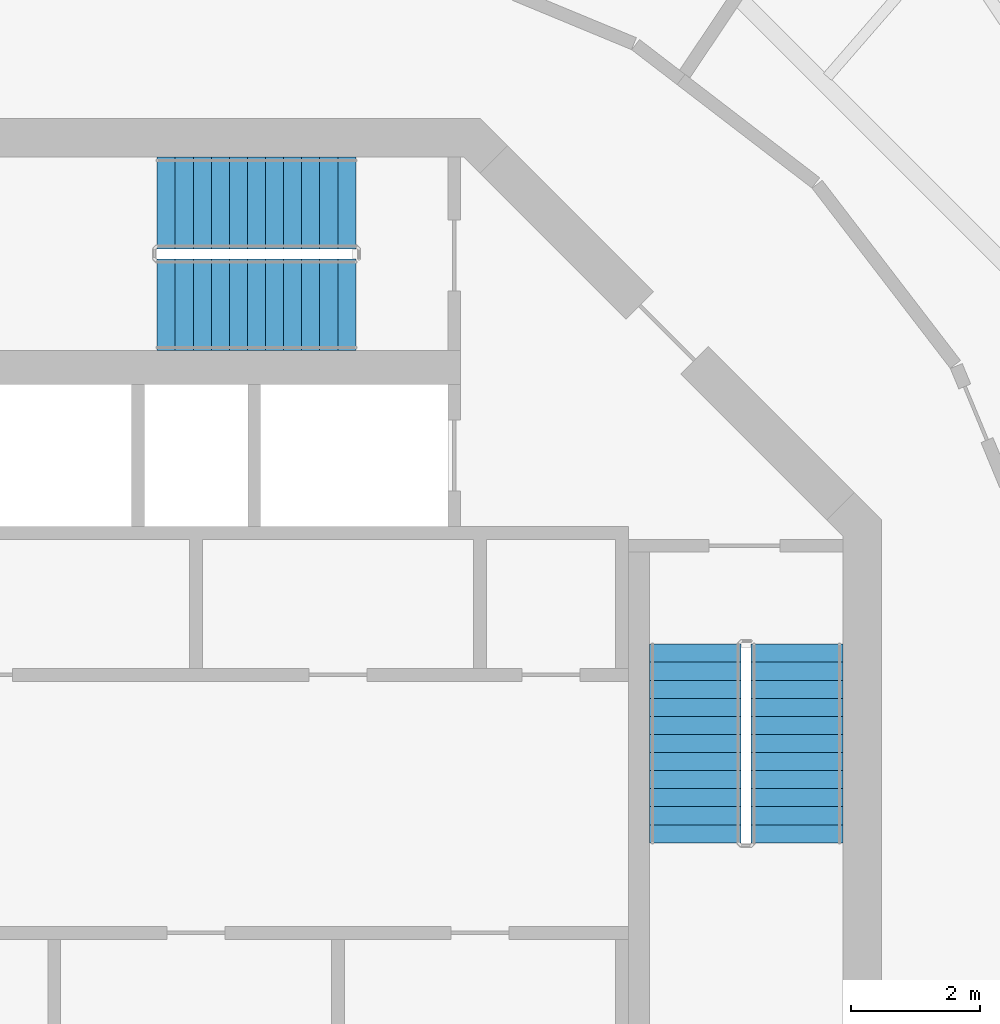
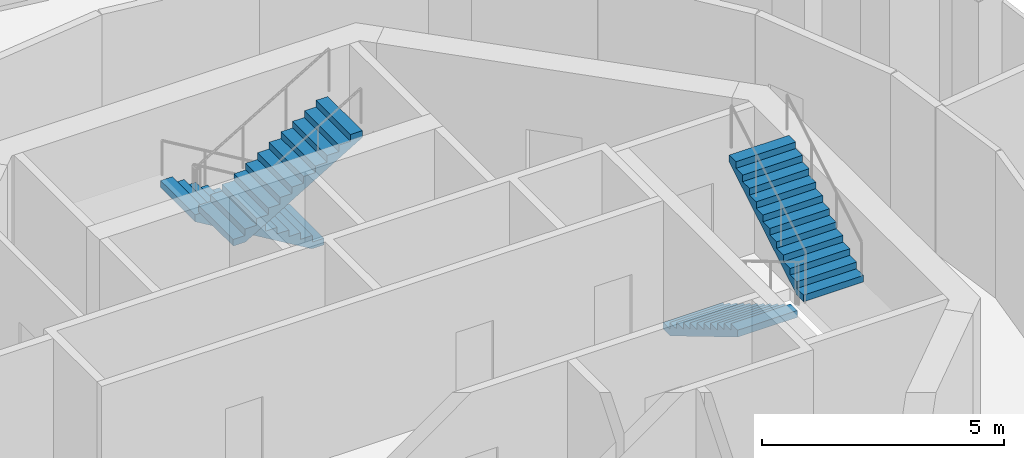
# One storey, part 10 of 11: 4 stair flights, 2 elements without a shape of their own.
"""IFC4 building model written with IfcOpenShell, lengths in metres."""

from ifc_helpers import new_model, si_unit, direction, frame, origin, place, context, subcontext, project, spatial, polyline, outline, extrude, material, type_object, element, aggregate, save


model = new_model("IFC4")

# Units and contexts
model_context = context("Model", 3, precision=1e-05, world=origin(), true_north=direction((0.0, 1.0)))
body_context = subcontext(model_context, "Body", "Model", "MODEL_VIEW")
ifc_project = project(units=[si_unit("LENGTHUNIT", "METRE"), si_unit("AREAUNIT", "SQUARE_METRE"), si_unit("VOLUMEUNIT", "CUBIC_METRE"), si_unit("PLANEANGLEUNIT", "RADIAN"), si_unit("MASSUNIT", "GRAM", prefix="KILO")], contexts=[model_context])

# Site, building, storey
site_placement = place(None, origin())
site = spatial("IfcSite", under=ifc_project, at=site_placement, CompositionType="ELEMENT")
building_placement = place(site_placement, origin())
building = spatial("IfcBuilding", under=site, at=building_placement, Name="Nagisa Residences", CompositionType="ELEMENT")
storey_placement = place(building_placement, frame((0.0, 0.0, 336.89990234375)))
storey = spatial("IfcBuildingStorey", under=building, at=storey_placement, Name="L83", CompositionType="ELEMENT", Elevation=336.89990234375)

# Stair, stair flights
ifc_material_1 = material(Name="Concrete C60", Category="concrete")
stair_type = type_object("IfcStairType", Name="Exit stair", PredefinedType="HALF_TURN_STAIR", material=ifc_material_1)
stair_1_placement = place(storey_placement, origin())
stair_1 = element("IfcStair", 1, at=stair_1_placement, inside=storey, type_object=stair_type, Name="L83 Exit stair E", PredefinedType="HALF_TURN_STAIR")
ifc_material_2 = material(Name="Concrete C60", Category="concrete")
stair_flight_type = type_object("IfcStairFlightType", Name="Exit stair flight", PredefinedType="STRAIGHT", material=ifc_material_2)
stair_flight_1_placement = place(storey_placement, frame((7.737060546875, 2.47509765625, 0.0), z_axis=(0.0, 0.0, 1.0), x_axis=(0.0, -1.0, 0.0)))
stair_flight_1 = element("IfcStairFlight", 2, at=stair_flight_1_placement, type_object=stair_flight_type, Name="ST-E flight 1", NumberOfRisers=12, NumberOfTreads=11, PredefinedType="STRAIGHT", RiserHeight=0.166666667, TreadLength=0.28, context=body_context, shape_type="SweptSolid", body=[
    extrude(outline(polyline([(0.0, 0.0), (0.0, 0.166748046875), (0.280029296875, 0.166748046875), (0.280029296875, 0.333251953125), (0.56005859375, 0.333251953125), (0.56005859375, 0.5), (0.840087890625, 0.5), (0.840087890625, 0.666748046875), (1.1201171875, 0.666748046875), (1.1201171875, 0.833251953125), (1.39990234375, 0.833251953125), (1.39990234375, 1.0), (1.679931640625, 1.0), (1.679931640625, 1.166748046875), (1.9599609375, 1.166748046875), (1.9599609375, 1.333251953125), (2.239990234375, 1.333251953125), (2.239990234375, 1.5), (2.52001953125, 1.5), (2.52001953125, 1.666748046875), (2.800048828125, 1.666748046875), (2.800048828125, 1.833251953125), (3.080078125, 1.833251953125), (3.080078125, 2.0), (3.080078125, 1.658935546875), (0.29296875, 0.0), (0.0, 0.0)])), frame((0.0, 0.71240234375, 0.0), z_axis=(0.0, -1.0, 0.0), x_axis=(1.0, 0.0, 0.0)), (0.0, 0.0, 1.0), 1.425048828125),
])
stair_flight_2_placement = place(storey_placement, frame((9.31201171875, -0.60498046875, 2.0), z_axis=(0.0, 0.0, 1.0), x_axis=(0.0, 1.0, 0.0)))
stair_flight_2 = element("IfcStairFlight", 3, at=stair_flight_2_placement, type_object=stair_flight_type, Name="ST-E flight 2", NumberOfRisers=12, NumberOfTreads=11, PredefinedType="STRAIGHT", RiserHeight=0.166666667, TreadLength=0.28, context=body_context, shape_type="SweptSolid", body=[
    extrude(outline(polyline([(0.0, 0.0), (0.0, 0.166748046875), (0.280029296875, 0.166748046875), (0.280029296875, 0.333251953125), (0.56005859375, 0.333251953125), (0.56005859375, 0.5), (0.840087890625, 0.5), (0.840087890625, 0.666748046875), (1.1201171875, 0.666748046875), (1.1201171875, 0.833251953125), (1.39990234375, 0.833251953125), (1.39990234375, 1.0), (1.679931640625, 1.0), (1.679931640625, 1.166748046875), (1.9599609375, 1.166748046875), (1.9599609375, 1.333251953125), (2.239990234375, 1.333251953125), (2.239990234375, 1.5), (2.52001953125, 1.5), (2.52001953125, 1.666748046875), (2.800048828125, 1.666748046875), (2.800048828125, 1.833251953125), (3.080078125, 1.833251953125), (3.080078125, 2.0), (3.080078125, 1.658935546875), (0.29296875, 0.0), (0.0, 0.0)])), frame((0.0, 0.71240234375, 0.0), z_axis=(0.0, -1.0, 0.0), x_axis=(1.0, 0.0, 0.0)), (0.0, 0.0, 1.0), 1.425048828125),
])
aggregate(stair_1, [stair_flight_1, stair_flight_2])

stair_2_placement = place(storey_placement, origin())
stair_2 = element("IfcStair", 4, at=stair_2_placement, inside=storey, type_object=stair_type, Name="L83 Exit stair N", PredefinedType="HALF_TURN_STAIR")
stair_flight_3_placement = place(storey_placement, frame((2.47509765625, 9.31201171875, 0.0), z_axis=(0.0, 0.0, 1.0), x_axis=(-1.0, 0.0, 0.0)))
stair_flight_3 = element("IfcStairFlight", 5, at=stair_flight_3_placement, type_object=stair_flight_type, Name="ST-N flight 1", NumberOfRisers=12, NumberOfTreads=11, PredefinedType="STRAIGHT", RiserHeight=0.166666667, TreadLength=0.28, context=body_context, shape_type="SweptSolid", body=[
    extrude(outline(polyline([(0.0, 0.0), (0.0, 0.166748046875), (0.280029296875, 0.166748046875), (0.280029296875, 0.333251953125), (0.56005859375, 0.333251953125), (0.56005859375, 0.5), (0.840087890625, 0.5), (0.840087890625, 0.666748046875), (1.1201171875, 0.666748046875), (1.1201171875, 0.833251953125), (1.39990234375, 0.833251953125), (1.39990234375, 1.0), (1.679931640625, 1.0), (1.679931640625, 1.166748046875), (1.9599609375, 1.166748046875), (1.9599609375, 1.333251953125), (2.239990234375, 1.333251953125), (2.239990234375, 1.5), (2.52001953125, 1.5), (2.52001953125, 1.666748046875), (2.800048828125, 1.666748046875), (2.800048828125, 1.833251953125), (3.080078125, 1.833251953125), (3.080078125, 2.0), (3.080078125, 1.658935546875), (0.29296875, 0.0), (0.0, 0.0)])), frame((0.0, 0.71240234375, 0.0), z_axis=(0.0, -1.0, 0.0), x_axis=(1.0, 0.0, 0.0)), (0.0, 0.0, 1.0), 1.425048828125),
])
stair_flight_4_placement = place(storey_placement, frame((-0.60498046875, 7.737060546875, 2.0), z_axis=(0.0, 0.0, 1.0), x_axis=(1.0, 0.0, 0.0)))
stair_flight_4 = element("IfcStairFlight", 6, at=stair_flight_4_placement, type_object=stair_flight_type, Name="ST-N flight 2", NumberOfRisers=12, NumberOfTreads=11, PredefinedType="STRAIGHT", RiserHeight=0.166666667, TreadLength=0.28, context=body_context, shape_type="SweptSolid", body=[
    extrude(outline(polyline([(0.0, 0.0), (0.0, 0.166748046875), (0.280029296875, 0.166748046875), (0.280029296875, 0.333251953125), (0.56005859375, 0.333251953125), (0.56005859375, 0.5), (0.840087890625, 0.5), (0.840087890625, 0.666748046875), (1.1201171875, 0.666748046875), (1.1201171875, 0.833251953125), (1.39990234375, 0.833251953125), (1.39990234375, 1.0), (1.679931640625, 1.0), (1.679931640625, 1.166748046875), (1.9599609375, 1.166748046875), (1.9599609375, 1.333251953125), (2.239990234375, 1.333251953125), (2.239990234375, 1.5), (2.52001953125, 1.5), (2.52001953125, 1.666748046875), (2.800048828125, 1.666748046875), (2.800048828125, 1.833251953125), (3.080078125, 1.833251953125), (3.080078125, 2.0), (3.080078125, 1.658935546875), (0.29296875, 0.0), (0.0, 0.0)])), frame((0.0, 0.71240234375, 0.0), z_axis=(0.0, -1.0, 0.0), x_axis=(1.0, 0.0, 0.0)), (0.0, 0.0, 1.0), 1.425048828125),
])
aggregate(stair_2, [stair_flight_3, stair_flight_4])

save(model, "model.ifc")
